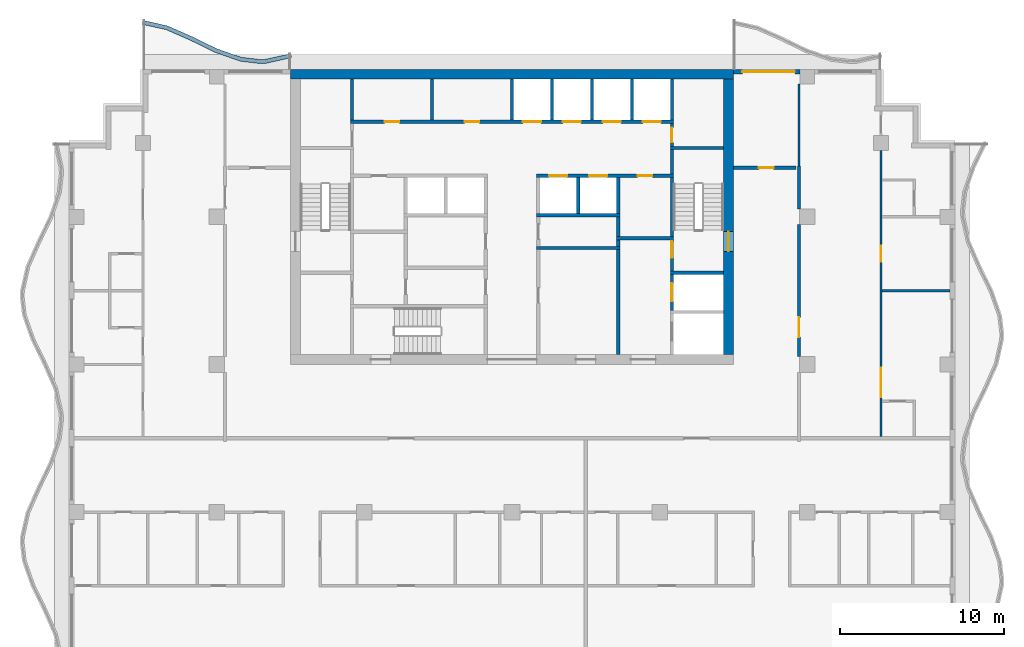
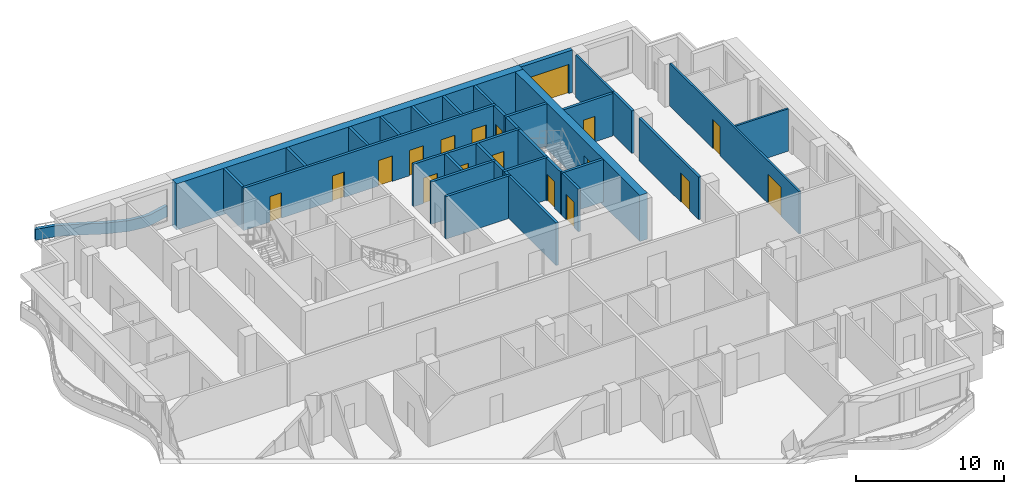
# One storey, part 6 of 11: 34 walls, 18 doors, 18 openings.
"""IFC4 building model written with IfcOpenShell, lengths in metres."""

from ifc_helpers import new_model, si_unit, direction, frame, frame_2d, origin, place, context, subcontext, project, spatial, polyline, rectangle, outline, extrude, material, layer, layer_set, type_object, element, fill, save


model = new_model("IFC4")

# Units and contexts
model_context = context("Model", 3, precision=1e-05, world=origin(), true_north=direction((0.0, 1.0)))
body_context = subcontext(model_context, "Body", "Model", "MODEL_VIEW")
ifc_project = project(units=[si_unit("LENGTHUNIT", "METRE"), si_unit("AREAUNIT", "SQUARE_METRE"), si_unit("VOLUMEUNIT", "CUBIC_METRE"), si_unit("PLANEANGLEUNIT", "RADIAN"), si_unit("MASSUNIT", "GRAM", prefix="KILO")], contexts=[model_context])

# Site, building, storey
site_placement = place(None, origin())
site = spatial("IfcSite", under=ifc_project, at=site_placement, CompositionType="ELEMENT")
building_placement = place(site_placement, origin())
building = spatial("IfcBuilding", under=site, at=building_placement, Name="Orbiselva Terraces", CompositionType="ELEMENT")
storey_placement = place(building_placement, frame((0.0, 0.0, 261.6)))
storey = spatial("IfcBuildingStorey", under=building, at=storey_placement, Name="L66", CompositionType="ELEMENT", Elevation=261.6)

# Wall, opening, door
ifc_material_1 = material(Name="Concrete C80/95", Category="concrete")
ifc_layer_1 = layer(ifc_material_1, 0.6)
ifc_layer_set_1 = layer_set([ifc_layer_1], Name="Concrete C80/95")
wall_type_1 = type_object("IfcWallType", Name="CORE WALL 600", PredefinedType="SHEAR", material=ifc_layer_set_1)
wall_1_placement = place(storey_placement, frame((13.2, 5.1, -0.3), z_axis=(0.0, 0.0, 1.0), x_axis=(0.0, 1.0, 0.0)))
wall_1 = element("IfcWall", 1, at=wall_1_placement, inside=storey, type_object=wall_type_1, Name="Core wall L66 east", PredefinedType="SHEAR", context=body_context, shape_type="SweptSolid", body=[
    extrude(rectangle(XDim=16.8, YDim=0.6, at=frame_2d((8.4, 0.0))), origin(), (0.0, 0.0, 1.0), 3.8),
])
opening_1_placement = place(wall_1_placement, frame((6.3, 0.0, 0.3)))
opening_1 = element("IfcOpeningElement", 2, at=opening_1_placement, cuts=wall_1, Name="Opening DS1200", PredefinedType="OPENING", context=body_context, shape_type="SweptSolid", body=[
    extrude(rectangle(XDim=1.2, YDim=2.2, at=frame_2d((0.6, 1.1))), frame((0.0, 0.31, 0.0), z_axis=(0.0, -1.0, 0.0), x_axis=(1.0, 0.0, 0.0)), (0.0, 0.0, 1.0), 0.62),
])
ifc_material_2 = material(Name="Steel fire door", Category="steel")
door_type_1 = type_object("IfcDoorType", Name="STAIR DOOR 1200", OperationType="NOTDEFINED", PredefinedType="DOOR", material=ifc_material_2)
door_1_placement = place(opening_1_placement, frame((1.2, 0.0, 0.0), z_axis=(0.0, 0.0, 1.0), x_axis=(-1.0, 0.0, 0.0)))
door_1 = element("IfcDoor", 3, at=door_1_placement, inside=storey, type_object=door_type_1, Name="L66 EXIT STAIR S2 door", OperationType="SINGLE_SWING_LEFT", OverallHeight=2.2, OverallWidth=1.2, PredefinedType="DOOR", context=body_context, shape_type="SweptSolid", body=[
    extrude(rectangle(XDim=1.2, YDim=2.2, at=frame_2d((0.6, 1.1))), frame((0.0, 0.025, 0.0), z_axis=(0.0, -1.0, 0.0), x_axis=(1.0, 0.0, 0.0)), (0.0, 0.0, 1.0), 0.05),
])
fill(opening_1, door_1)

# Walls
ifc_layer_2 = layer(ifc_material_1, 0.6)
ifc_layer_set_2 = layer_set([ifc_layer_2], Name="Concrete C80/95")
wall_type_2 = type_object("IfcWallType", Name="CORE WALL 600 EXTERNAL", PredefinedType="SHEAR", material=ifc_layer_set_2)
wall_2_placement = place(storey_placement, frame((13.5, 22.2, -0.3), z_axis=(0.0, 0.0, 1.0), x_axis=(-1.0, 0.0, 0.0)))
element("IfcWall", 4, at=wall_2_placement, inside=storey, type_object=wall_type_2, Name="Core wall L66 north", PredefinedType="SHEAR", context=body_context, shape_type="SweptSolid", body=[
    extrude(rectangle(XDim=27.0, YDim=0.6, at=frame_2d((13.5, 0.0))), origin(), (0.0, 0.0, 1.0), 3.8),
])
ifc_material_3 = material(Name="Masonry blockwork", Category="masonry")
ifc_layer_3 = layer(ifc_material_3, 0.2)
ifc_layer_set_3 = layer_set([ifc_layer_3], Name="Masonry blockwork")
wall_type_3 = type_object("IfcWallType", Name="CORE-WALL-PARTITION-200", PredefinedType="PARTITIONING", material=ifc_layer_set_3)
for number, where, z_axis, x_axis, name in (
    (5, (-9.75, 19.4, 0.0), (0.0, 0.0, 1.0), (0.0, 1.0, 0.0), "L66 core wall 13"),
    (6, (-4.875, 19.4, 0.0), (0.0, 0.0, 1.0), (0.0, 1.0, 0.0), "L66 core wall 20"),
):
    element("IfcWall", number, at=place(storey_placement, frame(where, z_axis=z_axis, x_axis=x_axis)), inside=storey, type_object=wall_type_3, Name=name, PredefinedType="PARTITIONING", context=body_context, shape_type="SweptSolid", body=[
        extrude(rectangle(XDim=2.5, YDim=0.2, at=frame_2d((1.25, 0.0))), origin(), (0.0, 0.0, 1.0), 3.5),
    ])
wall_3_placement = place(storey_placement, frame((6.475, 12.3, 0.0), z_axis=(0.0, 0.0, 1.0), x_axis=(0.0, 1.0, 0.0)))
element("IfcWall", 7, at=wall_3_placement, inside=storey, type_object=wall_type_3, Name="L66 core wall 39", PredefinedType="PARTITIONING", context=body_context, shape_type="SweptSolid", body=[
    extrude(rectangle(XDim=1.2, YDim=0.2, at=frame_2d((0.6, 0.0))), origin(), (0.0, 0.0, 1.0), 3.5),
])

# Wall, opening, door
wall_4_placement = place(storey_placement, frame((9.75, 19.2, 0.0), z_axis=(0.0, 0.0, 1.0), x_axis=(0.0, -1.0, 0.0)))
wall_4 = element("IfcWall", 8, at=wall_4_placement, inside=storey, type_object=wall_type_3, Name="L66 core wall 50", PredefinedType="PARTITIONING", context=body_context, shape_type="SweptSolid", body=[
    extrude(rectangle(XDim=1.4, YDim=0.2, at=frame_2d((0.7, 0.0))), origin(), (0.0, 0.0, 1.0), 3.5),
])
opening_2_placement = place(wall_4_placement, frame((0.25, 0.0, 0.0)))
opening_2 = element("IfcOpeningElement", 9, at=opening_2_placement, cuts=wall_4, Name="Opening DR900", PredefinedType="OPENING", context=body_context, shape_type="SweptSolid", body=[
    extrude(rectangle(XDim=0.9, YDim=2.1, at=frame_2d((0.45, 1.05))), frame((0.0, 0.11, 0.0), z_axis=(0.0, -1.0, 0.0), x_axis=(1.0, 0.0, 0.0)), (0.0, 0.0, 1.0), 0.22),
])
door_type_2 = type_object("IfcDoorType", Name="ROOM DOOR 900", OperationType="NOTDEFINED", PredefinedType="DOOR", material=ifc_material_2)
door_2_placement = place(opening_2_placement, origin())
door_2 = element("IfcDoor", 10, at=door_2_placement, inside=storey, type_object=door_type_2, Name="L66 ELECTRICAL RISER ROOM door", OperationType="SINGLE_SWING_RIGHT", OverallHeight=2.1, OverallWidth=0.9, PredefinedType="DOOR", context=body_context, shape_type="SweptSolid", body=[
    extrude(rectangle(XDim=0.9, YDim=2.1, at=frame_2d((0.45, 1.05))), frame((0.0, 0.025, 0.0), z_axis=(0.0, -1.0, 0.0), x_axis=(1.0, 0.0, 0.0)), (0.0, 0.0, 1.0), 0.05),
])
fill(opening_2, door_2)

# Walls
ifc_material_4 = material(Name="Concrete C40/50", Category="concrete")
ifc_layer_4 = layer(ifc_material_4, 0.2)
ifc_layer_set_4 = layer_set([ifc_layer_4], Name="Concrete C40/50")
wall_type_4 = type_object("IfcWallType", Name="CORE-WALL-SHAFT-200", PredefinedType="PARTITIONING", material=ifc_layer_set_4)
for number, where, z_axis, x_axis, name in (
    (11, (0.0, 19.4, 0.0), (0.0, 0.0, 1.0), (0.0, 1.0, 0.0), "L66 core wall 26"),
    (12, (2.4375, 19.4, 0.0), (0.0, 0.0, 1.0), (0.0, 1.0, 0.0), "L66 core wall 33"),
):
    element("IfcWall", number, at=place(storey_placement, frame(where, z_axis=z_axis, x_axis=x_axis)), inside=storey, type_object=wall_type_4, Name=name, PredefinedType="PARTITIONING", context=body_context, shape_type="SweptSolid", body=[
        extrude(rectangle(XDim=2.5, YDim=0.2, at=frame_2d((1.25, 0.0))), origin(), (0.0, 0.0, 1.0), 3.5),
    ])
wall_5_placement = place(storey_placement, frame((4.0375, 13.7, 0.0), z_axis=(0.0, 0.0, 1.0), x_axis=(0.0, 1.0, 0.0)))
element("IfcWall", 13, at=wall_5_placement, inside=storey, type_object=wall_type_4, Name="L66 core wall 34", PredefinedType="PARTITIONING", context=body_context, shape_type="SweptSolid", body=[
    extrude(rectangle(XDim=2.2, YDim=0.2, at=frame_2d((1.1, 0.0))), origin(), (0.0, 0.0, 1.0), 3.5),
])
wall_6_placement = place(storey_placement, frame((4.875, 19.4, 0.0), z_axis=(0.0, 0.0, 1.0), x_axis=(0.0, 1.0, 0.0)))
element("IfcWall", 14, at=wall_6_placement, inside=storey, type_object=wall_type_4, Name="L66 core wall 35", PredefinedType="PARTITIONING", context=body_context, shape_type="SweptSolid", body=[
    extrude(rectangle(XDim=2.5, YDim=0.2, at=frame_2d((1.25, 0.0))), origin(), (0.0, 0.0, 1.0), 3.5),
])
wall_7_placement = place(storey_placement, frame((6.475, 13.7, 0.0), z_axis=(0.0, 0.0, 1.0), x_axis=(0.0, 1.0, 0.0)))
element("IfcWall", 15, at=wall_7_placement, inside=storey, type_object=wall_type_4, Name="L66 core wall 40", PredefinedType="PARTITIONING", context=body_context, shape_type="SweptSolid", body=[
    extrude(rectangle(XDim=2.2, YDim=0.2, at=frame_2d((1.1, 0.0))), origin(), (0.0, 0.0, 1.0), 3.5),
])
for number, where, z_axis, x_axis, name in (
    (16, (7.3125, 19.4, 0.0), (0.0, 0.0, 1.0), (0.0, 1.0, 0.0), "L66 core wall 41"),
    (17, (9.75, 19.4, 0.0), (0.0, 0.0, 1.0), (0.0, 1.0, 0.0), "L66 core wall 51"),
):
    element("IfcWall", number, at=place(storey_placement, frame(where, z_axis=z_axis, x_axis=x_axis)), inside=storey, type_object=wall_type_4, Name=name, PredefinedType="PARTITIONING", context=body_context, shape_type="SweptSolid", body=[
        extrude(rectangle(XDim=2.5, YDim=0.2, at=frame_2d((1.25, 0.0))), origin(), (0.0, 0.0, 1.0), 3.5),
    ])

# Wall, openings, doors
ifc_material_5 = material(Name="Concrete C60/75", Category="concrete")
ifc_layer_5 = layer(ifc_material_5, 0.2)
ifc_layer_set_5 = layer_set([ifc_layer_5], Name="Concrete C60/75")
wall_type_5 = type_object("IfcWallType", Name="CORE-WALL-SHEAR-200", PredefinedType="SHEAR", material=ifc_layer_set_5)
wall_8_placement = place(storey_placement, frame((-9.85, 19.3, 0.0), z_axis=(0.0, 0.0, 1.0), x_axis=(1.0, 0.0, 0.0)))
wall_8 = element("IfcWall", 18, at=wall_8_placement, inside=storey, type_object=wall_type_5, Name="L66 core wall 12", PredefinedType="SHEAR", context=body_context, shape_type="SweptSolid", body=[
    extrude(rectangle(XDim=19.7, YDim=0.2, at=frame_2d((9.85, 0.0))), origin(), (0.0, 0.0, 1.0), 3.5),
])
opening_3_placement = place(wall_8_placement, frame((10.51875, 0.0, 0.0)))
opening_3 = element("IfcOpeningElement", 19, at=opening_3_placement, cuts=wall_8, Name="Opening LD-HR1", PredefinedType="OPENING", context=body_context, shape_type="SweptSolid", body=[
    extrude(rectangle(XDim=1.1, YDim=2.1, at=frame_2d((0.55, 1.05))), frame((0.0, 0.11, 0.0), z_axis=(0.0, -1.0, 0.0), x_axis=(1.0, 0.0, 0.0)), (0.0, 0.0, 1.0), 0.22),
])
opening_4_placement = place(wall_8_placement, frame((12.95625, 0.0, 0.0)))
opening_4 = element("IfcOpeningElement", 20, at=opening_4_placement, cuts=wall_8, Name="Opening LD-HR2", PredefinedType="OPENING", context=body_context, shape_type="SweptSolid", body=[
    extrude(rectangle(XDim=1.1, YDim=2.1, at=frame_2d((0.55, 1.05))), frame((0.0, 0.11, 0.0), z_axis=(0.0, -1.0, 0.0), x_axis=(1.0, 0.0, 0.0)), (0.0, 0.0, 1.0), 0.22),
])
opening_5_placement = place(wall_8_placement, frame((15.39375, 0.0, 0.0)))
opening_5 = element("IfcOpeningElement", 21, at=opening_5_placement, cuts=wall_8, Name="Opening LD-HR3", PredefinedType="OPENING", context=body_context, shape_type="SweptSolid", body=[
    extrude(rectangle(XDim=1.1, YDim=2.1, at=frame_2d((0.55, 1.05))), frame((0.0, 0.11, 0.0), z_axis=(0.0, -1.0, 0.0), x_axis=(1.0, 0.0, 0.0)), (0.0, 0.0, 1.0), 0.22),
])
opening_6_placement = place(wall_8_placement, frame((17.83125, 0.0, 0.0)))
opening_6 = element("IfcOpeningElement", 22, at=opening_6_placement, cuts=wall_8, Name="Opening LD-HR4", PredefinedType="OPENING", context=body_context, shape_type="SweptSolid", body=[
    extrude(rectangle(XDim=1.1, YDim=2.1, at=frame_2d((0.55, 1.05))), frame((0.0, 0.11, 0.0), z_axis=(0.0, -1.0, 0.0), x_axis=(1.0, 0.0, 0.0)), (0.0, 0.0, 1.0), 0.22),
])
opening_7_placement = place(wall_8_placement, frame((2.0875, 0.0, 0.0)))
opening_7 = element("IfcOpeningElement", 23, at=opening_7_placement, cuts=wall_8, Name="Opening DR900", PredefinedType="OPENING", context=body_context, shape_type="SweptSolid", body=[
    extrude(rectangle(XDim=0.9, YDim=2.1, at=frame_2d((0.45, 1.05))), frame((0.0, 0.11, 0.0), z_axis=(0.0, -1.0, 0.0), x_axis=(1.0, 0.0, 0.0)), (0.0, 0.0, 1.0), 0.22),
])
opening_8_placement = place(wall_8_placement, frame((6.9625, 0.0, 0.0)))
opening_8 = element("IfcOpeningElement", 24, at=opening_8_placement, cuts=wall_8, Name="Opening DR900", PredefinedType="OPENING", context=body_context, shape_type="SweptSolid", body=[
    extrude(rectangle(XDim=0.9, YDim=2.1, at=frame_2d((0.45, 1.05))), frame((0.0, 0.11, 0.0), z_axis=(0.0, -1.0, 0.0), x_axis=(1.0, 0.0, 0.0)), (0.0, 0.0, 1.0), 0.22),
])
ifc_material_6 = material(Name="Stainless steel landing door", Category="steel")
door_type_3 = type_object("IfcDoorType", Name="LANDING DOOR 1100", OperationType="SLIDING_TO_LEFT", PredefinedType="DOOR", material=ifc_material_6)
door_3_placement = place(opening_3_placement, origin())
door_3 = element("IfcDoor", 25, at=door_3_placement, inside=storey, type_object=door_type_3, Name="L66 landing door HR1", OperationType="SLIDING_TO_RIGHT", OverallHeight=2.1, OverallWidth=1.1, PredefinedType="DOOR", context=body_context, shape_type="SweptSolid", body=[
    extrude(rectangle(XDim=1.1, YDim=2.1, at=frame_2d((0.55, 1.05))), frame((0.0, 0.025, 0.0), z_axis=(0.0, -1.0, 0.0), x_axis=(1.0, 0.0, 0.0)), (0.0, 0.0, 1.0), 0.05),
])
fill(opening_3, door_3)
door_4_placement = place(opening_4_placement, origin())
door_4 = element("IfcDoor", 26, at=door_4_placement, inside=storey, type_object=door_type_3, Name="L66 landing door HR2", OperationType="SLIDING_TO_RIGHT", OverallHeight=2.1, OverallWidth=1.1, PredefinedType="DOOR", context=body_context, shape_type="SweptSolid", body=[
    extrude(rectangle(XDim=1.1, YDim=2.1, at=frame_2d((0.55, 1.05))), frame((0.0, 0.025, 0.0), z_axis=(0.0, -1.0, 0.0), x_axis=(1.0, 0.0, 0.0)), (0.0, 0.0, 1.0), 0.05),
])
fill(opening_4, door_4)
door_5_placement = place(opening_5_placement, origin())
door_5 = element("IfcDoor", 27, at=door_5_placement, inside=storey, type_object=door_type_3, Name="L66 landing door HR3", OperationType="SLIDING_TO_RIGHT", OverallHeight=2.1, OverallWidth=1.1, PredefinedType="DOOR", context=body_context, shape_type="SweptSolid", body=[
    extrude(rectangle(XDim=1.1, YDim=2.1, at=frame_2d((0.55, 1.05))), frame((0.0, 0.025, 0.0), z_axis=(0.0, -1.0, 0.0), x_axis=(1.0, 0.0, 0.0)), (0.0, 0.0, 1.0), 0.05),
])
fill(opening_5, door_5)
door_6_placement = place(opening_6_placement, origin())
door_6 = element("IfcDoor", 28, at=door_6_placement, inside=storey, type_object=door_type_3, Name="L66 landing door HR4", OperationType="SLIDING_TO_RIGHT", OverallHeight=2.1, OverallWidth=1.1, PredefinedType="DOOR", context=body_context, shape_type="SweptSolid", body=[
    extrude(rectangle(XDim=1.1, YDim=2.1, at=frame_2d((0.55, 1.05))), frame((0.0, 0.025, 0.0), z_axis=(0.0, -1.0, 0.0), x_axis=(1.0, 0.0, 0.0)), (0.0, 0.0, 1.0), 0.05),
])
fill(opening_6, door_6)
door_7_placement = place(opening_7_placement, origin())
door_7 = element("IfcDoor", 29, at=door_7_placement, inside=storey, type_object=door_type_2, Name="L66 PANTRY door", OperationType="SINGLE_SWING_LEFT", OverallHeight=2.1, OverallWidth=0.9, PredefinedType="DOOR", context=body_context, shape_type="SweptSolid", body=[
    extrude(rectangle(XDim=0.9, YDim=2.1, at=frame_2d((0.45, 1.05))), frame((0.0, 0.025, 0.0), z_axis=(0.0, -1.0, 0.0), x_axis=(1.0, 0.0, 0.0)), (0.0, 0.0, 1.0), 0.05),
])
fill(opening_7, door_7)
door_8_placement = place(opening_8_placement, origin())
door_8 = element("IfcDoor", 30, at=door_8_placement, inside=storey, type_object=door_type_2, Name="L66 STAFF LOUNGE door", OperationType="SINGLE_SWING_LEFT", OverallHeight=2.1, OverallWidth=0.9, PredefinedType="DOOR", context=body_context, shape_type="SweptSolid", body=[
    extrude(rectangle(XDim=0.9, YDim=2.1, at=frame_2d((0.45, 1.05))), frame((0.0, 0.025, 0.0), z_axis=(0.0, -1.0, 0.0), x_axis=(1.0, 0.0, 0.0)), (0.0, 0.0, 1.0), 0.05),
])
fill(opening_8, door_8)

# Walls
for number, where, z_axis, x_axis, name in (
    (31, (1.5, 11.6, 0.0), (0.0, 0.0, 1.0), (1.0, 0.0, 0.0), "L66 core wall 28"),
    (32, (1.5, 13.6, 0.0), (0.0, 0.0, 1.0), (1.0, 0.0, 0.0), "L66 core wall 30"),
):
    element("IfcWall", number, at=place(storey_placement, frame(where, z_axis=z_axis, x_axis=x_axis)), inside=storey, type_object=wall_type_5, Name=name, PredefinedType="SHEAR", context=body_context, shape_type="SweptSolid", body=[
        extrude(rectangle(XDim=5.075, YDim=0.2, at=frame_2d((2.5375, 0.0))), origin(), (0.0, 0.0, 1.0), 3.5),
    ])

# Wall, openings, doors
wall_9_placement = place(storey_placement, frame((9.85, 16.0, 0.0), z_axis=(0.0, 0.0, 1.0), x_axis=(-1.0, 0.0, 0.0)))
wall_9 = element("IfcWall", 33, at=wall_9_placement, inside=storey, type_object=wall_type_5, Name="L66 core wall 32", PredefinedType="SHEAR", context=body_context, shape_type="SweptSolid", body=[
    extrude(rectangle(XDim=8.35, YDim=0.2, at=frame_2d((4.175, 0.0))), origin(), (0.0, 0.0, 1.0), 3.5),
])
opening_9_placement = place(wall_9_placement, frame((6.48125, 0.0, 0.0)))
opening_9 = element("IfcOpeningElement", 34, at=opening_9_placement, cuts=wall_9, Name="Opening LD-HR5", PredefinedType="OPENING", context=body_context, shape_type="SweptSolid", body=[
    extrude(rectangle(XDim=1.1, YDim=2.1, at=frame_2d((0.55, 1.05))), frame((0.0, 0.11, 0.0), z_axis=(0.0, -1.0, 0.0), x_axis=(1.0, 0.0, 0.0)), (0.0, 0.0, 1.0), 0.22),
])
opening_10_placement = place(wall_9_placement, frame((4.04375, 0.0, 0.0)))
opening_10 = element("IfcOpeningElement", 35, at=opening_10_placement, cuts=wall_9, Name="Opening LD-HR6", PredefinedType="OPENING", context=body_context, shape_type="SweptSolid", body=[
    extrude(rectangle(XDim=1.1, YDim=2.1, at=frame_2d((0.55, 1.05))), frame((0.0, 0.11, 0.0), z_axis=(0.0, -1.0, 0.0), x_axis=(1.0, 0.0, 0.0)), (0.0, 0.0, 1.0), 0.22),
])
opening_11_placement = place(wall_9_placement, frame((1.2875, 0.0, 0.0)))
opening_11 = element("IfcOpeningElement", 36, at=opening_11_placement, cuts=wall_9, Name="Opening DR900", PredefinedType="OPENING", context=body_context, shape_type="SweptSolid", body=[
    extrude(rectangle(XDim=0.9, YDim=2.1, at=frame_2d((0.45, 1.05))), frame((0.0, 0.11, 0.0), z_axis=(0.0, -1.0, 0.0), x_axis=(1.0, 0.0, 0.0)), (0.0, 0.0, 1.0), 0.22),
])
door_9_placement = place(opening_9_placement, origin())
door_9 = element("IfcDoor", 37, at=door_9_placement, inside=storey, type_object=door_type_3, Name="L66 landing door HR5", OperationType="SLIDING_TO_RIGHT", OverallHeight=2.1, OverallWidth=1.1, PredefinedType="DOOR", context=body_context, shape_type="SweptSolid", body=[
    extrude(rectangle(XDim=1.1, YDim=2.1, at=frame_2d((0.55, 1.05))), frame((0.0, 0.025, 0.0), z_axis=(0.0, -1.0, 0.0), x_axis=(1.0, 0.0, 0.0)), (0.0, 0.0, 1.0), 0.05),
])
fill(opening_9, door_9)
door_10_placement = place(opening_10_placement, origin())
door_10 = element("IfcDoor", 38, at=door_10_placement, inside=storey, type_object=door_type_3, Name="L66 landing door HR6", OperationType="SLIDING_TO_RIGHT", OverallHeight=2.1, OverallWidth=1.1, PredefinedType="DOOR", context=body_context, shape_type="SweptSolid", body=[
    extrude(rectangle(XDim=1.1, YDim=2.1, at=frame_2d((0.55, 1.05))), frame((0.0, 0.025, 0.0), z_axis=(0.0, -1.0, 0.0), x_axis=(1.0, 0.0, 0.0)), (0.0, 0.0, 1.0), 0.05),
])
fill(opening_10, door_10)
door_11_placement = place(opening_11_placement, origin())
door_11 = element("IfcDoor", 39, at=door_11_placement, inside=storey, type_object=door_type_2, Name="L66 PIPE RISER ROOM door", OperationType="SINGLE_SWING_LEFT", OverallHeight=2.1, OverallWidth=0.9, PredefinedType="DOOR", context=body_context, shape_type="SweptSolid", body=[
    extrude(rectangle(XDim=0.9, YDim=2.1, at=frame_2d((0.45, 1.05))), frame((0.0, 0.025, 0.0), z_axis=(0.0, -1.0, 0.0), x_axis=(1.0, 0.0, 0.0)), (0.0, 0.0, 1.0), 0.05),
])
fill(opening_11, door_11)

# Walls
wall_10_placement = place(storey_placement, frame((6.475, 5.1, 0.0), z_axis=(0.0, 0.0, 1.0), x_axis=(0.0, 1.0, 0.0)))
element("IfcWall", 40, at=wall_10_placement, inside=storey, type_object=wall_type_5, Name="L66 core wall 36", PredefinedType="SHEAR", context=body_context, shape_type="SweptSolid", body=[
    extrude(rectangle(XDim=6.4, YDim=0.2, at=frame_2d((3.2, 0.0))), origin(), (0.0, 0.0, 1.0), 3.5),
])
wall_11_placement = place(storey_placement, frame((6.475, 11.7, 0.0), z_axis=(0.0, 0.0, 1.0), x_axis=(0.0, 1.0, 0.0)))
element("IfcWall", 41, at=wall_11_placement, inside=storey, type_object=wall_type_5, Name="L66 core wall 37", PredefinedType="SHEAR", context=body_context, shape_type="SweptSolid", body=[
    extrude(rectangle(XDim=0.4, YDim=0.2, at=frame_2d((0.2, 0.0))), origin(), (0.0, 0.0, 1.0), 3.5),
])
wall_12_placement = place(storey_placement, frame((6.375, 12.2, 0.0), z_axis=(0.0, 0.0, 1.0), x_axis=(1.0, 0.0, 0.0)))
element("IfcWall", 42, at=wall_12_placement, inside=storey, type_object=wall_type_5, Name="L66 core wall 38", PredefinedType="SHEAR", context=body_context, shape_type="SweptSolid", body=[
    extrude(rectangle(XDim=3.475, YDim=0.2, at=frame_2d((1.7375, 0.0))), origin(), (0.0, 0.0, 1.0), 3.5),
])

# Wall, opening, door
wall_13_placement = place(storey_placement, frame((9.75, 7.8, 0.0), z_axis=(0.0, 0.0, 1.0), x_axis=(0.0, 1.0, 0.0)))
wall_13 = element("IfcWall", 43, at=wall_13_placement, inside=storey, type_object=wall_type_5, Name="L66 core wall 44", PredefinedType="SHEAR", context=body_context, shape_type="SweptSolid", body=[
    extrude(rectangle(XDim=2.2, YDim=0.2, at=frame_2d((1.1, 0.0))), origin(), (0.0, 0.0, 1.0), 3.5),
])
opening_12_placement = place(wall_13_placement, frame((0.55, 0.0, 0.0)))
opening_12 = element("IfcOpeningElement", 44, at=opening_12_placement, cuts=wall_13, Name="Opening LD-FF2", PredefinedType="OPENING", context=body_context, shape_type="SweptSolid", body=[
    extrude(rectangle(XDim=1.1, YDim=2.1, at=frame_2d((0.55, 1.05))), frame((0.0, 0.11, 0.0), z_axis=(0.0, -1.0, 0.0), x_axis=(1.0, 0.0, 0.0)), (0.0, 0.0, 1.0), 0.22),
])
door_12_placement = place(opening_12_placement, origin())
door_12 = element("IfcDoor", 45, at=door_12_placement, inside=storey, type_object=door_type_3, Name="L66 landing door FF2", OperationType="SLIDING_TO_RIGHT", OverallHeight=2.1, OverallWidth=1.1, PredefinedType="DOOR", context=body_context, shape_type="SweptSolid", body=[
    extrude(rectangle(XDim=1.1, YDim=2.1, at=frame_2d((0.55, 1.05))), frame((0.0, 0.025, 0.0), z_axis=(0.0, -1.0, 0.0), x_axis=(1.0, 0.0, 0.0)), (0.0, 0.0, 1.0), 0.05),
])
fill(opening_12, door_12)

# Wall
wall_14_placement = place(storey_placement, frame((9.65, 10.1, 0.0), z_axis=(0.0, 0.0, 1.0), x_axis=(1.0, 0.0, 0.0)))
element("IfcWall", 46, at=wall_14_placement, inside=storey, type_object=wall_type_5, Name="L66 core wall 45", PredefinedType="SHEAR", context=body_context, shape_type="SweptSolid", body=[
    extrude(rectangle(XDim=3.25, YDim=0.2, at=frame_2d((1.625, 0.0))), origin(), (0.0, 0.0, 1.0), 3.5),
])

# Wall, opening, door
wall_15_placement = place(storey_placement, frame((9.75, 12.1, 0.0), z_axis=(0.0, 0.0, 1.0), x_axis=(0.0, -1.0, 0.0)))
wall_15 = element("IfcWall", 47, at=wall_15_placement, inside=storey, type_object=wall_type_5, Name="L66 core wall 46", PredefinedType="SHEAR", context=body_context, shape_type="SweptSolid", body=[
    extrude(rectangle(XDim=1.9, YDim=0.2, at=frame_2d((0.95, 0.0))), origin(), (0.0, 0.0, 1.0), 3.5),
])
opening_13_placement = place(wall_15_placement, frame((0.1, 0.0, 0.0)))
opening_13 = element("IfcOpeningElement", 48, at=opening_13_placement, cuts=wall_15, Name="Opening DS1000", PredefinedType="OPENING", context=body_context, shape_type="SweptSolid", body=[
    extrude(rectangle(XDim=1.0, YDim=2.2, at=frame_2d((0.5, 1.1))), frame((0.0, 0.11, 0.0), z_axis=(0.0, -1.0, 0.0), x_axis=(1.0, 0.0, 0.0)), (0.0, 0.0, 1.0), 0.22),
])
door_type_4 = type_object("IfcDoorType", Name="STAIR DOOR 1000", OperationType="NOTDEFINED", PredefinedType="DOOR", material=ifc_material_2)
door_13_placement = place(opening_13_placement, origin())
door_13 = element("IfcDoor", 49, at=door_13_placement, inside=storey, type_object=door_type_4, Name="L66 FIRE-FIGHTING LOBBY TO EXIT STAIR S2 door", OperationType="SINGLE_SWING_LEFT", OverallHeight=2.2, OverallWidth=1.0, PredefinedType="DOOR", context=body_context, shape_type="SweptSolid", body=[
    extrude(rectangle(XDim=1.0, YDim=2.2, at=frame_2d((0.5, 1.1))), frame((0.0, 0.025, 0.0), z_axis=(0.0, -1.0, 0.0), x_axis=(1.0, 0.0, 0.0)), (0.0, 0.0, 1.0), 0.05),
])
fill(opening_13, door_13)

# Walls
wall_16_placement = place(storey_placement, frame((9.75, 12.3, 0.0), z_axis=(0.0, 0.0, 1.0), x_axis=(0.0, 1.0, 0.0)))
element("IfcWall", 50, at=wall_16_placement, inside=storey, type_object=wall_type_5, Name="L66 core wall 47", PredefinedType="SHEAR", context=body_context, shape_type="SweptSolid", body=[
    extrude(rectangle(XDim=3.6, YDim=0.2, at=frame_2d((1.8, 0.0))), origin(), (0.0, 0.0, 1.0), 3.5),
])
wall_17_placement = place(storey_placement, frame((9.75, 16.1, 0.0), z_axis=(0.0, 0.0, 1.0), x_axis=(0.0, 1.0, 0.0)))
element("IfcWall", 51, at=wall_17_placement, inside=storey, type_object=wall_type_5, Name="L66 core wall 48", PredefinedType="SHEAR", context=body_context, shape_type="SweptSolid", body=[
    extrude(rectangle(XDim=1.5, YDim=0.2, at=frame_2d((0.75, 0.0))), origin(), (0.0, 0.0, 1.0), 3.5),
])
wall_18_placement = place(storey_placement, frame((9.65, 17.7, 0.0), z_axis=(0.0, 0.0, 1.0), x_axis=(1.0, 0.0, 0.0)))
element("IfcWall", 52, at=wall_18_placement, inside=storey, type_object=wall_type_5, Name="L66 core wall 49", PredefinedType="SHEAR", context=body_context, shape_type="SweptSolid", body=[
    extrude(rectangle(XDim=3.25, YDim=0.2, at=frame_2d((1.625, 0.0))), origin(), (0.0, 0.0, 1.0), 3.5),
])
ifc_layer_6 = layer(ifc_material_4, 0.25)
ifc_layer_set_6 = layer_set([ifc_layer_6], Name="Concrete C40/50")
wall_type_6 = type_object("IfcWallType", Name="ENV-PLANTER-250x900", PredefinedType="USERDEFINED", material=ifc_layer_set_6)
wall_19_placement = place(storey_placement, origin())
element("IfcWall", 53, at=wall_19_placement, inside=storey, type_object=wall_type_6, Name="Balcony planter L66 NW", ObjectType="PLANTER", PredefinedType="USERDEFINED", context=body_context, shape_type="SweptSolid", body=[
    extrude(outline(polyline([(-13.5, 23.451472), (-15.0, 23.114774), (-15.375, 23.1), (-16.5, 23.230792), (-18.0, 23.755211), (-19.5, 24.487721), (-21.0, 25.148528), (-22.5, 25.485226), (-22.554754, 25.241296), (-21.078508, 24.90993), (-19.605286, 24.260919), (-18.09644, 23.524089), (-16.556371, 22.985662), (-15.384572, 22.849429), (-14.967435, 22.865863), (-13.445246, 23.207542), (-13.5, 23.451472)])), origin(), (0.0, 0.0, 1.0), 0.9),
])

# Wall, opening, door
ifc_material_7 = material(Name="Terracotta cladding on masonry backing", Category="masonry")
ifc_layer_7 = layer(ifc_material_7, 0.3)
ifc_layer_set_7 = layer_set([ifc_layer_7], Name="Terracotta cladding on masonry backing")
wall_type_7 = type_object("IfcWallType", Name="ENV-WALL-TERRACOTTA-300", PredefinedType="SOLIDWALL", material=ifc_layer_set_7)
wall_20_placement = place(storey_placement, frame((13.5, 22.35, 0.0), z_axis=(0.0, 0.0, 1.0), x_axis=(1.0, 0.0, 0.0)))
wall_20 = element("IfcWall", 54, at=wall_20_placement, inside=storey, type_object=wall_type_7, Name="Facade wall L66 NE", PredefinedType="SOLIDWALL", context=body_context, shape_type="SweptSolid", body=[
    extrude(rectangle(XDim=4.05, YDim=0.3, at=frame_2d((2.025, 0.0))), origin(), (0.0, 0.0, 1.0), 3.5),
])
opening_14_placement = place(wall_20_placement, frame((0.55, 0.0, 0.0)))
opening_14 = element("IfcOpeningElement", 55, at=opening_14_placement, cuts=wall_20, Name="Opening Z5-C-E08", PredefinedType="OPENING", context=body_context, shape_type="SweptSolid", body=[
    extrude(rectangle(XDim=3.2, YDim=2.4, at=frame_2d((1.6, 1.2))), frame((0.0, 0.16, 0.0), z_axis=(0.0, -1.0, 0.0), x_axis=(1.0, 0.0, 0.0)), (0.0, 0.0, 1.0), 0.32),
])
ifc_material_8 = material(Name="Clear low-e glazing in aluminium frame", Category="aluminium")
door_type_5 = type_object("IfcDoorType", Name="BALCONY DOOR 3200 X 2400", OperationType="DOUBLE_DOOR_SLIDING", PredefinedType="DOOR", material=ifc_material_8)
door_14_placement = place(opening_14_placement, origin())
door_14 = element("IfcDoor", 56, at=door_14_placement, inside=storey, type_object=door_type_5, Name="Z5-C-E08", OperationType="SINGLE_SWING_LEFT", OverallHeight=2.4, OverallWidth=3.2, PredefinedType="DOOR", context=body_context, shape_type="SweptSolid", body=[
    extrude(rectangle(XDim=3.2, YDim=2.4, at=frame_2d((1.6, 1.2))), frame((0.0, 0.025, 0.0), z_axis=(0.0, -1.0, 0.0), x_axis=(1.0, 0.0, 0.0)), (0.0, 0.0, 1.0), 0.05),
])
fill(opening_14, door_14)

ifc_material_9 = material(Name="Plasterboard on steel stud partition", Category="steel")
ifc_layer_8 = layer(ifc_material_9, 0.2)
ifc_layer_set_8 = layer_set([ifc_layer_8], Name="Plasterboard on steel stud partition")
wall_type_8 = type_object("IfcWallType", Name="UNIT-ENTRANCE-WALL-200", PredefinedType="PARTITIONING", material=ifc_layer_set_8)
wall_21_placement = place(storey_placement, frame((13.5, 16.5, 0.0), z_axis=(0.0, 0.0, 1.0), x_axis=(1.0, 0.0, 0.0)))
wall_21 = element("IfcWall", 57, at=wall_21_placement, inside=storey, type_object=wall_type_8, Name="PARTITION L66-042", PredefinedType="PARTITIONING", context=body_context, shape_type="SweptSolid", body=[
    extrude(rectangle(XDim=3.825, YDim=0.2, at=frame_2d((1.9125, 0.0))), origin(), (0.0, 0.0, 1.0), 3.5),
])
opening_15_placement = place(wall_21_placement, frame((1.55, 0.0, 0.0)))
opening_15 = element("IfcOpeningElement", 58, at=opening_15_placement, cuts=wall_21, Name="Opening Z5-C-02", PredefinedType="OPENING", context=body_context, shape_type="SweptSolid", body=[
    extrude(rectangle(XDim=0.9, YDim=2.1, at=frame_2d((0.45, 1.05))), frame((0.0, 0.11, 0.0), z_axis=(0.0, -1.0, 0.0), x_axis=(1.0, 0.0, 0.0)), (0.0, 0.0, 1.0), 0.22),
])
ifc_material_10 = material(Name="Painted timber door leaf", Category="wood")
door_type_6 = type_object("IfcDoorType", Name="SERVICE DOOR 900", OperationType="NOTDEFINED", PredefinedType="DOOR", material=ifc_material_10)
door_15_placement = place(opening_15_placement, origin())
door_15 = element("IfcDoor", 59, at=door_15_placement, inside=storey, type_object=door_type_6, Name="Z5-C-02", OperationType="SINGLE_SWING_RIGHT", OverallHeight=2.1, OverallWidth=0.9, PredefinedType="DOOR", context=body_context, shape_type="SweptSolid", body=[
    extrude(rectangle(XDim=0.9, YDim=2.1, at=frame_2d((0.45, 1.05))), frame((0.0, 0.025, 0.0), z_axis=(0.0, -1.0, 0.0), x_axis=(1.0, 0.0, 0.0)), (0.0, 0.0, 1.0), 0.05),
])
fill(opening_15, door_15)

wall_22_placement = place(storey_placement, frame((17.5, 13.025, 0.0), z_axis=(0.0, 0.0, 1.0), x_axis=(0.0, -1.0, 0.0)))
wall_22 = element("IfcWall", 60, at=wall_22_placement, inside=storey, type_object=wall_type_8, Name="PARTITION L66-080", PredefinedType="PARTITIONING", context=body_context, shape_type="SweptSolid", body=[
    extrude(rectangle(XDim=8.05, YDim=0.2, at=frame_2d((4.025, 0.0))), origin(), (0.0, 0.0, 1.0), 3.5),
])
opening_16_placement = place(wall_22_placement, frame((5.65, 0.0, 0.0)))
opening_16 = element("IfcOpeningElement", 61, at=opening_16_placement, cuts=wall_22, Name="Opening Z5-C-09", PredefinedType="OPENING", context=body_context, shape_type="SweptSolid", body=[
    extrude(rectangle(XDim=1.2, YDim=2.4, at=frame_2d((0.6, 1.2))), frame((0.0, 0.11, 0.0), z_axis=(0.0, -1.0, 0.0), x_axis=(1.0, 0.0, 0.0)), (0.0, 0.0, 1.0), 0.22),
])
door_type_7 = type_object("IfcDoorType", Name="ENTRANCE DOOR 1200", OperationType="NOTDEFINED", PredefinedType="DOOR", material=ifc_material_10)
door_16_placement = place(opening_16_placement, origin())
door_16 = element("IfcDoor", 62, at=door_16_placement, inside=storey, type_object=door_type_7, Name="Z5-C-09", OperationType="SINGLE_SWING_RIGHT", OverallHeight=2.4, OverallWidth=1.2, PredefinedType="DOOR", context=body_context, shape_type="SweptSolid", body=[
    extrude(rectangle(XDim=1.2, YDim=2.4, at=frame_2d((0.6, 1.2))), frame((0.0, 0.025, 0.0), z_axis=(0.0, -1.0, 0.0), x_axis=(1.0, 0.0, 0.0)), (0.0, 0.0, 1.0), 0.05),
])
fill(opening_16, door_16)

# Walls
wall_23_placement = place(storey_placement, frame((17.5, 13.975, 0.0), z_axis=(0.0, 0.0, 1.0), x_axis=(0.0, 1.0, 0.0)))
element("IfcWall", 63, at=wall_23_placement, inside=storey, type_object=wall_type_8, Name="PARTITION L66-081", PredefinedType="PARTITIONING", context=body_context, shape_type="SweptSolid", body=[
    extrude(rectangle(XDim=2.625, YDim=0.2, at=frame_2d((1.3125, 0.0))), origin(), (0.0, 0.0, 1.0), 3.5),
])
ifc_layer_9 = layer(ifc_material_9, 0.15)
ifc_layer_set_9 = layer_set([ifc_layer_9], Name="Plasterboard on steel stud partition")
wall_type_9 = type_object("IfcWallType", Name="UNIT-PARTITION-150", PredefinedType="PARTITIONING", material=ifc_layer_set_9)
wall_24_placement = place(storey_placement, frame((22.575, 9.0, 0.0), z_axis=(0.0, 0.0, 1.0), x_axis=(1.0, 0.0, 0.0)))
element("IfcWall", 64, at=wall_24_placement, inside=storey, type_object=wall_type_9, Name="PARTITION L66-037", PredefinedType="PARTITIONING", context=body_context, shape_type="SweptSolid", body=[
    extrude(rectangle(XDim=4.125, YDim=0.15, at=frame_2d((2.0625, 0.0))), origin(), (0.0, 0.0, 1.0), 3.5),
])
wall_25_placement = place(storey_placement, frame((17.5, 16.4, 0.0), z_axis=(0.0, 0.0, 1.0), x_axis=(0.0, 1.0, 0.0)))
element("IfcWall", 65, at=wall_25_placement, inside=storey, type_object=wall_type_9, Name="PARTITION L66-082", PredefinedType="PARTITIONING", context=body_context, shape_type="SweptSolid", body=[
    extrude(rectangle(XDim=5.2, YDim=0.15, at=frame_2d((2.6, 0.0))), origin(), (0.0, 0.0, 1.0), 3.5),
])

# Wall, openings, doors
wall_26_placement = place(storey_placement, frame((22.5, 17.55, 0.0), z_axis=(0.0, 0.0, 1.0), x_axis=(0.0, -1.0, 0.0)))
wall_26 = element("IfcWall", 66, at=wall_26_placement, inside=storey, type_object=wall_type_9, Name="PARTITION L66-089", PredefinedType="PARTITIONING", context=body_context, shape_type="SweptSolid", body=[
    extrude(rectangle(XDim=17.45, YDim=0.15, at=frame_2d((8.725, 0.0))), origin(), (0.0, 0.0, 1.0), 3.5),
])
opening_17_placement = place(wall_26_placement, frame((13.25, 0.0, 0.0)))
opening_17 = element("IfcOpeningElement", 67, at=opening_17_placement, cuts=wall_26, Name="Opening Z5-C-10", PredefinedType="OPENING", context=body_context, shape_type="SweptSolid", body=[
    extrude(rectangle(XDim=1.8, YDim=2.4, at=frame_2d((0.9, 1.2))), frame((0.0, 0.085, 0.0), z_axis=(0.0, -1.0, 0.0), x_axis=(1.0, 0.0, 0.0)), (0.0, 0.0, 1.0), 0.17),
])
opening_18_placement = place(wall_26_placement, frame((5.8, 0.0, 0.0)))
opening_18 = element("IfcOpeningElement", 68, at=opening_18_placement, cuts=wall_26, Name="Opening Z5-C-12", PredefinedType="OPENING", context=body_context, shape_type="SweptSolid", body=[
    extrude(rectangle(XDim=1.0, YDim=2.4, at=frame_2d((0.5, 1.2))), frame((0.0, 0.085, 0.0), z_axis=(0.0, -1.0, 0.0), x_axis=(1.0, 0.0, 0.0)), (0.0, 0.0, 1.0), 0.17),
])
door_type_8 = type_object("IfcDoorType", Name="DOUBLE DOOR 1800", OperationType="NOTDEFINED", PredefinedType="DOOR", material=ifc_material_10)
door_17_placement = place(opening_17_placement, origin())
door_17 = element("IfcDoor", 69, at=door_17_placement, inside=storey, type_object=door_type_8, Name="Z5-C-10", OperationType="DOUBLE_DOOR_SINGLE_SWING", OverallHeight=2.4, OverallWidth=1.8, PredefinedType="DOOR", context=body_context, shape_type="SweptSolid", body=[
    extrude(rectangle(XDim=1.8, YDim=2.4, at=frame_2d((0.9, 1.2))), frame((0.0, 0.025, 0.0), z_axis=(0.0, -1.0, 0.0), x_axis=(1.0, 0.0, 0.0)), (0.0, 0.0, 1.0), 0.05),
])
fill(opening_17, door_17)
door_type_9 = type_object("IfcDoorType", Name="ROOM DOOR 1000", OperationType="NOTDEFINED", PredefinedType="DOOR", material=ifc_material_10)
door_18_placement = place(opening_18_placement, origin())
door_18 = element("IfcDoor", 70, at=door_18_placement, inside=storey, type_object=door_type_9, Name="Z5-C-12", OperationType="SINGLE_SWING_LEFT", OverallHeight=2.4, OverallWidth=1.0, PredefinedType="DOOR", context=body_context, shape_type="SweptSolid", body=[
    extrude(rectangle(XDim=1.0, YDim=2.4, at=frame_2d((0.5, 1.2))), frame((0.0, 0.025, 0.0), z_axis=(0.0, -1.0, 0.0), x_axis=(1.0, 0.0, 0.0)), (0.0, 0.0, 1.0), 0.05),
])
fill(opening_18, door_18)

save(model, "model.ifc")
